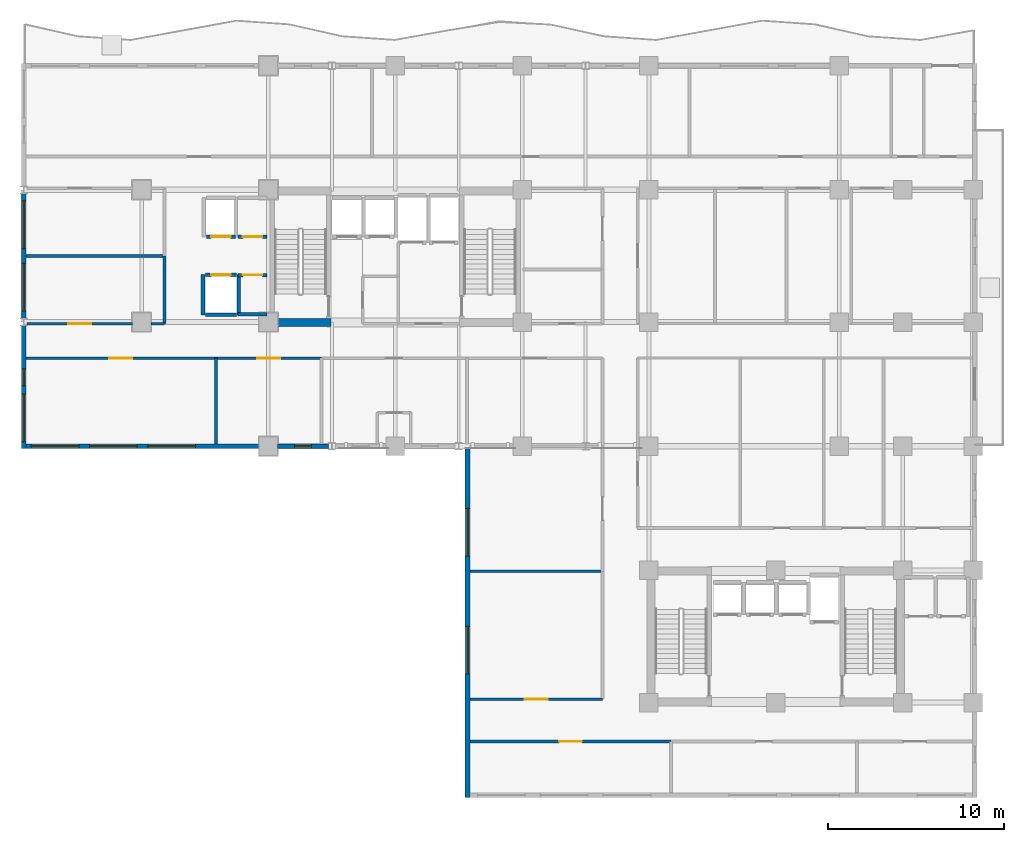
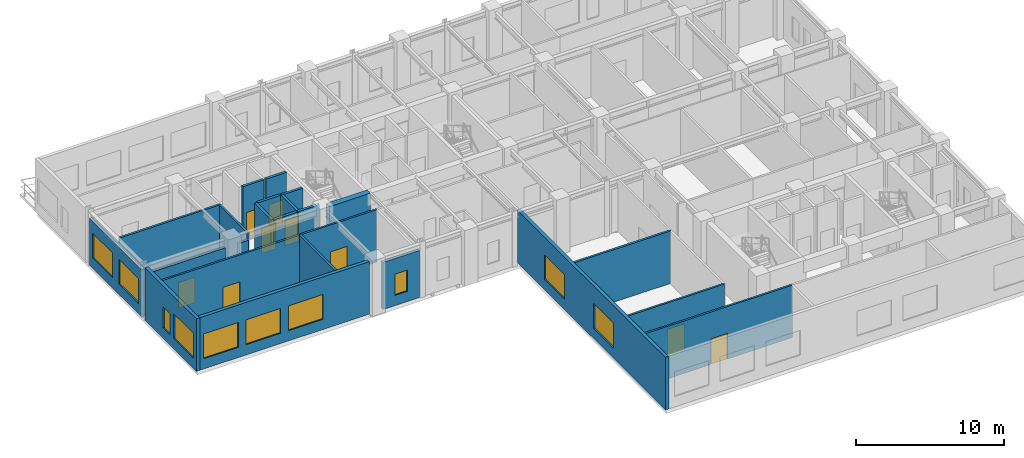
# One storey, part 4 of 14: 24 walls, 10 windows, 9 doors, 19 openings.
"""IFC4 building model written with IfcOpenShell, lengths in metres."""

from ifc_helpers import new_model, si_unit, direction, frame, frame_2d, origin, place, context, subcontext, project, spatial, rectangle, extrude, material, layer, layer_set, type_object, element, fill, save


model = new_model("IFC4")

# Units and contexts
model_context = context("Model", 3, precision=1e-05, world=origin(), true_north=direction((0.0, 1.0)))
body_context = subcontext(model_context, "Body", "Model", "MODEL_VIEW")
ifc_project = project(units=[si_unit("LENGTHUNIT", "METRE"), si_unit("AREAUNIT", "SQUARE_METRE"), si_unit("VOLUMEUNIT", "CUBIC_METRE"), si_unit("PLANEANGLEUNIT", "RADIAN"), si_unit("MASSUNIT", "GRAM", prefix="KILO")], contexts=[model_context])

# Site, building, storey
site_placement = place(None, origin())
site = spatial("IfcSite", under=ifc_project, at=site_placement, CompositionType="ELEMENT")
building_placement = place(site_placement, origin())
building = spatial("IfcBuilding", under=site, at=building_placement, Name="Kaliganga Portal Commons", CompositionType="ELEMENT")
storey_placement = place(building_placement, frame((0.0, 0.0, 135.60009765625)))
storey = spatial("IfcBuildingStorey", under=building, at=storey_placement, Name="L34", CompositionType="ELEMENT", Elevation=135.60009765625)

# Wall
ifc_material_1 = material(Name="Concrete C60/75", Category="concrete")
ifc_layer_1 = layer(ifc_material_1, 0.449951171875)
ifc_layer_set_1 = layer_set([ifc_layer_1], Name="Concrete C60/75")
wall_type_1 = type_object("IfcWallType", Name="WL-CORE-450", PredefinedType="SHEAR", material=ifc_layer_set_1)
wall_1_placement = place(storey_placement, frame((14.75, 28.625, 0.0), z_axis=(0.0, 0.0, 1.0), x_axis=(1.0, 0.0, 0.0)))
element("IfcWall", 1, at=wall_1_placement, inside=storey, type_object=wall_type_1, Name="Core A S-West Shear Wall L34", PredefinedType="SHEAR", context=body_context, shape_type="SweptSolid", body=[
    extrude(rectangle(XDim=3.199951171875, YDim=0.449951171875, at=frame_2d((1.60009765625, 0.0))), origin(), (0.0, 0.0, 1.0), 4.35986328125),
])

# Wall, openings, windows
ifc_material_2 = material(Name="Insulated Aluminium-Clad Spandrel Assembly", Category="aluminium")
ifc_layer_2 = layer(ifc_material_2, 0.260009765625)
ifc_layer_set_2 = layer_set([ifc_layer_2], Name="Insulated Aluminium-Clad Spandrel Assembly")
wall_type_2 = type_object("IfcWallType", Name="WL-EXT-SPAND-260", PredefinedType="STANDARD", material=ifc_layer_set_2)
wall_2_placement = place(storey_placement, frame((0.5, 28.85791015625, 0.0), z_axis=(0.0, 0.0, 1.0), x_axis=(0.0, 1.0, 0.0)))
wall_2 = element("IfcWall", 2, at=wall_2_placement, inside=storey, type_object=wall_type_2, Name="Exterior Envelope Wall L34 P1-E03-S2", PredefinedType="STANDARD", context=body_context, shape_type="SweptSolid", body=[
    extrude(rectangle(XDim=7.083984375, YDim=0.260009765625, at=frame_2d((3.5419921875, 0.0))), origin(), (0.0, 0.0, 1.0), 3.889892578125),
])
opening_1_placement = place(wall_2_placement, frame((0.4208984375, 0.0, 0.85009765625)))
opening_1 = element("IfcOpeningElement", 3, at=opening_1_placement, cuts=wall_2, Name="Opening W-07", PredefinedType="OPENING", context=body_context, shape_type="SweptSolid", body=[
    extrude(rectangle(XDim=2.699951171875, YDim=2.050048828125, at=frame_2d((1.35009765625, 1.02490234375))), frame((0.0, 0.14013671875, 0.0), z_axis=(0.0, -1.0, 0.0), x_axis=(1.0, 0.0, 0.0)), (0.0, 0.0, 1.0), 0.280029296875),
])
opening_2_placement = place(wall_2_placement, frame((3.962890625, 0.0, 0.85009765625)))
opening_2 = element("IfcOpeningElement", 4, at=opening_2_placement, cuts=wall_2, Name="Opening W-07", PredefinedType="OPENING", context=body_context, shape_type="SweptSolid", body=[
    extrude(rectangle(XDim=2.699951171875, YDim=2.050048828125, at=frame_2d((1.35009765625, 1.02490234375))), frame((0.0, 0.14013671875, 0.0), z_axis=(0.0, -1.0, 0.0), x_axis=(1.0, 0.0, 0.0)), (0.0, 0.0, 1.0), 0.280029296875),
])
ifc_material_3 = material(Name="Thermally Broken Aluminium and Low-E Double Glazing", Category="aluminium")
window_type_1 = type_object("IfcWindowType", Name="WIN-LOUNGE-2700", PartitioningType="TRIPLE_PANEL_VERTICAL", PredefinedType="WINDOW", material=ifc_material_3)
window_1_placement = place(opening_1_placement, origin())
window_1 = element("IfcWindow", 5, at=window_1_placement, inside=storey, type_object=window_type_1, Name="Facade Window L34-P1E03S2-00", OverallHeight=2.050048828125, OverallWidth=2.699951171875, PartitioningType="SINGLE_PANEL", PredefinedType="WINDOW", context=body_context, shape_type="SweptSolid", body=[
    extrude(rectangle(XDim=2.699951171875, YDim=2.050048828125, at=frame_2d((1.35009765625, 1.02490234375))), frame((0.0, 0.030029296875, 0.0), z_axis=(0.0, -1.0, 0.0), x_axis=(1.0, 0.0, 0.0)), (0.0, 0.0, 1.0), 0.06005859375),
])
fill(opening_1, window_1)
window_2_placement = place(opening_2_placement, origin())
window_2 = element("IfcWindow", 6, at=window_2_placement, inside=storey, type_object=window_type_1, Name="Facade Window L34-P1E03S2-01", OverallHeight=2.050048828125, OverallWidth=2.699951171875, PartitioningType="SINGLE_PANEL", PredefinedType="WINDOW", context=body_context, shape_type="SweptSolid", body=[
    extrude(rectangle(XDim=2.699951171875, YDim=2.050048828125, at=frame_2d((1.35009765625, 1.02490234375))), frame((0.0, 0.030029296875, 0.0), z_axis=(0.0, -1.0, 0.0), x_axis=(1.0, 0.0, 0.0)), (0.0, 0.0, 1.0), 0.06005859375),
])
fill(opening_2, window_2)

wall_3_placement = place(storey_placement, frame((0.5, 21.469970703125, 0.0), z_axis=(0.0, 0.0, 1.0), x_axis=(0.0, 1.0, 0.0)))
wall_3 = element("IfcWall", 7, at=wall_3_placement, inside=storey, type_object=wall_type_2, Name="Exterior Envelope Wall L34 P1-E03-S3", PredefinedType="STANDARD", context=body_context, shape_type="SweptSolid", body=[
    extrude(rectangle(XDim=6.971923828125, YDim=0.260009765625, at=frame_2d((3.48583984375, 0.0))), origin(), (0.0, 0.0, 1.0), 4.33984375),
])
opening_3_placement = place(wall_3_placement, frame((0.39306640625, 0.0, 0.85009765625)))
opening_3 = element("IfcOpeningElement", 8, at=opening_3_placement, cuts=wall_3, Name="Opening W-07", PredefinedType="OPENING", context=body_context, shape_type="SweptSolid", body=[
    extrude(rectangle(XDim=2.699951171875, YDim=2.050048828125, at=frame_2d((1.35009765625, 1.02490234375))), frame((0.0, 0.14013671875, 0.0), z_axis=(0.0, -1.0, 0.0), x_axis=(1.0, 0.0, 0.0)), (0.0, 0.0, 1.0), 0.280029296875),
])
opening_4_placement = place(wall_3_placement, frame((3.56884765625, 0.0, 0.85009765625)))
opening_4 = element("IfcOpeningElement", 9, at=opening_4_placement, cuts=wall_3, Name="Opening W-04", PredefinedType="OPENING", context=body_context, shape_type="SweptSolid", body=[
    extrude(rectangle(XDim=0.949951171875, YDim=1.75, at=frame_2d((0.47509765625, 0.875))), frame((0.0, 0.14013671875, 0.0), z_axis=(0.0, -1.0, 0.0), x_axis=(1.0, 0.0, 0.0)), (0.0, 0.0, 1.0), 0.280029296875),
])
window_3_placement = place(opening_3_placement, origin())
window_3 = element("IfcWindow", 10, at=window_3_placement, inside=storey, type_object=window_type_1, Name="Facade Window L34-P1E03S3-00", OverallHeight=2.050048828125, OverallWidth=2.699951171875, PartitioningType="SINGLE_PANEL", PredefinedType="WINDOW", context=body_context, shape_type="SweptSolid", body=[
    extrude(rectangle(XDim=2.699951171875, YDim=2.050048828125, at=frame_2d((1.35009765625, 1.02490234375))), frame((0.0, 0.030029296875, 0.0), z_axis=(0.0, -1.0, 0.0), x_axis=(1.0, 0.0, 0.0)), (0.0, 0.0, 1.0), 0.06005859375),
])
fill(opening_3, window_3)
window_type_2 = type_object("IfcWindowType", Name="WIN-NARROW-950", PartitioningType="SINGLE_PANEL", PredefinedType="WINDOW", material=ifc_material_3)
window_4_placement = place(opening_4_placement, origin())
window_4 = element("IfcWindow", 11, at=window_4_placement, inside=storey, type_object=window_type_2, Name="Facade Window L34-P1E03S3-N6", OverallHeight=1.75, OverallWidth=0.949951171875, PartitioningType="SINGLE_PANEL", PredefinedType="WINDOW", context=body_context, shape_type="SweptSolid", body=[
    extrude(rectangle(XDim=0.949951171875, YDim=1.75, at=frame_2d((0.47509765625, 0.875))), frame((0.0, 0.030029296875, 0.0), z_axis=(0.0, -1.0, 0.0), x_axis=(1.0, 0.0, 0.0)), (0.0, 0.0, 1.0), 0.06005859375),
])
fill(opening_4, window_4)

wall_4_placement = place(storey_placement, frame((13.8740234375, 21.60009765625, 0.0), z_axis=(0.0, 0.0, 1.0), x_axis=(-1.0, 0.0, 0.0)))
wall_4 = element("IfcWall", 12, at=wall_4_placement, inside=storey, type_object=wall_type_2, Name="Exterior Envelope Wall L34 P1-E04-S1", PredefinedType="STANDARD", context=body_context, shape_type="SweptSolid", body=[
    extrude(rectangle(XDim=13.239013671875, YDim=0.260009765625, at=frame_2d((6.61962890625, 0.0))), origin(), (0.0, 0.0, 1.0), 4.33984375),
])
opening_5_placement = place(wall_4_placement, frame((3.614501953125, 0.0, 0.85009765625)))
opening_5 = element("IfcOpeningElement", 13, at=opening_5_placement, cuts=wall_4, Name="Opening W-07", PredefinedType="OPENING", context=body_context, shape_type="SweptSolid", body=[
    extrude(rectangle(XDim=2.699951171875, YDim=2.050048828125, at=frame_2d((1.35009765625, 1.02490234375))), frame((0.0, 0.14013671875, 0.0), z_axis=(0.0, -1.0, 0.0), x_axis=(1.0, 0.0, 0.0)), (0.0, 0.0, 1.0), 0.280029296875),
])
opening_6_placement = place(wall_4_placement, frame((6.92431640625, 0.0, 0.85009765625)))
opening_6 = element("IfcOpeningElement", 14, at=opening_6_placement, cuts=wall_4, Name="Opening W-07", PredefinedType="OPENING", context=body_context, shape_type="SweptSolid", body=[
    extrude(rectangle(XDim=2.699951171875, YDim=2.050048828125, at=frame_2d((1.35009765625, 1.02490234375))), frame((0.0, 0.14013671875, 0.0), z_axis=(0.0, -1.0, 0.0), x_axis=(1.0, 0.0, 0.0)), (0.0, 0.0, 1.0), 0.280029296875),
])
opening_7_placement = place(wall_4_placement, frame((10.234130859375, 0.0, 0.85009765625)))
opening_7 = element("IfcOpeningElement", 15, at=opening_7_placement, cuts=wall_4, Name="Opening W-07", PredefinedType="OPENING", context=body_context, shape_type="SweptSolid", body=[
    extrude(rectangle(XDim=2.699951171875, YDim=2.050048828125, at=frame_2d((1.35009765625, 1.02490234375))), frame((0.0, 0.14013671875, 0.0), z_axis=(0.0, -1.0, 0.0), x_axis=(1.0, 0.0, 0.0)), (0.0, 0.0, 1.0), 0.280029296875),
])
window_5_placement = place(opening_5_placement, origin())
window_5 = element("IfcWindow", 16, at=window_5_placement, inside=storey, type_object=window_type_1, Name="Facade Window L34-P1E04S1-01", OverallHeight=2.050048828125, OverallWidth=2.699951171875, PartitioningType="SINGLE_PANEL", PredefinedType="WINDOW", context=body_context, shape_type="SweptSolid", body=[
    extrude(rectangle(XDim=2.699951171875, YDim=2.050048828125, at=frame_2d((1.35009765625, 1.02490234375))), frame((0.0, 0.030029296875, 0.0), z_axis=(0.0, -1.0, 0.0), x_axis=(1.0, 0.0, 0.0)), (0.0, 0.0, 1.0), 0.06005859375),
])
fill(opening_5, window_5)
window_6_placement = place(opening_6_placement, origin())
window_6 = element("IfcWindow", 17, at=window_6_placement, inside=storey, type_object=window_type_1, Name="Facade Window L34-P1E04S1-02", OverallHeight=2.050048828125, OverallWidth=2.699951171875, PartitioningType="SINGLE_PANEL", PredefinedType="WINDOW", context=body_context, shape_type="SweptSolid", body=[
    extrude(rectangle(XDim=2.699951171875, YDim=2.050048828125, at=frame_2d((1.35009765625, 1.02490234375))), frame((0.0, 0.030029296875, 0.0), z_axis=(0.0, -1.0, 0.0), x_axis=(1.0, 0.0, 0.0)), (0.0, 0.0, 1.0), 0.06005859375),
])
fill(opening_6, window_6)
window_7_placement = place(opening_7_placement, origin())
window_7 = element("IfcWindow", 18, at=window_7_placement, inside=storey, type_object=window_type_1, Name="Facade Window L34-P1E04S1-03", OverallHeight=2.050048828125, OverallWidth=2.699951171875, PartitioningType="SINGLE_PANEL", PredefinedType="WINDOW", context=body_context, shape_type="SweptSolid", body=[
    extrude(rectangle(XDim=2.699951171875, YDim=2.050048828125, at=frame_2d((1.35009765625, 1.02490234375))), frame((0.0, 0.030029296875, 0.0), z_axis=(0.0, -1.0, 0.0), x_axis=(1.0, 0.0, 0.0)), (0.0, 0.0, 1.0), 0.06005859375),
])
fill(opening_7, window_7)

# Wall, opening, window
wall_5_placement = place(storey_placement, frame((17.797119140625, 21.60009765625, 0.0), z_axis=(0.0, 0.0, 1.0), x_axis=(-1.0, 0.0, 0.0)))
wall_5 = element("IfcWall", 19, at=wall_5_placement, inside=storey, type_object=wall_type_2, Name="Exterior Envelope Wall L34 P1-E04-S2", PredefinedType="STANDARD", context=body_context, shape_type="SweptSolid", body=[
    extrude(rectangle(XDim=2.87109375, YDim=0.260009765625, at=frame_2d((1.435546875, 0.0))), origin(), (0.0, 0.0, 1.0), 3.889892578125),
])
opening_8_placement = place(wall_5_placement, frame((0.96044921875, 0.0, 0.85009765625)))
opening_8 = element("IfcOpeningElement", 20, at=opening_8_placement, cuts=wall_5, Name="Opening W-04", PredefinedType="OPENING", context=body_context, shape_type="SweptSolid", body=[
    extrude(rectangle(XDim=0.949951171875, YDim=1.75, at=frame_2d((0.47509765625, 0.875))), frame((0.0, 0.14013671875, 0.0), z_axis=(0.0, -1.0, 0.0), x_axis=(1.0, 0.0, 0.0)), (0.0, 0.0, 1.0), 0.280029296875),
])
window_8_placement = place(opening_8_placement, origin())
window_8 = element("IfcWindow", 21, at=window_8_placement, inside=storey, type_object=window_type_2, Name="Facade Window L34-P1E04S2-00", OverallHeight=1.75, OverallWidth=0.949951171875, PartitioningType="SINGLE_PANEL", PredefinedType="WINDOW", context=body_context, shape_type="SweptSolid", body=[
    extrude(rectangle(XDim=0.949951171875, YDim=1.75, at=frame_2d((0.47509765625, 0.875))), frame((0.0, 0.030029296875, 0.0), z_axis=(0.0, -1.0, 0.0), x_axis=(1.0, 0.0, 0.0)), (0.0, 0.0, 1.0), 0.06005859375),
])
fill(opening_8, window_8)

# Wall, openings, windows
wall_6_placement = place(storey_placement, frame((25.699951171875, 1.669921875, 0.0), z_axis=(0.0, 0.0, 1.0), x_axis=(0.0, 1.0, 0.0)))
wall_6 = element("IfcWall", 22, at=wall_6_placement, inside=storey, type_object=wall_type_2, Name="Exterior Envelope Wall L34 P1-E05-S1", PredefinedType="STANDARD", context=body_context, shape_type="SweptSolid", body=[
    extrude(rectangle(XDim=20.06005859375, YDim=0.260009765625, at=frame_2d((10.030029296875, 0.0))), origin(), (0.0, 0.0, 1.0), 4.33984375),
])
opening_9_placement = place(wall_6_placement, frame((7.00830078125, 0.0, 0.85009765625)))
opening_9 = element("IfcOpeningElement", 23, at=opening_9_placement, cuts=wall_6, Name="Opening W-07", PredefinedType="OPENING", context=body_context, shape_type="SweptSolid", body=[
    extrude(rectangle(XDim=2.699951171875, YDim=2.050048828125, at=frame_2d((1.35009765625, 1.02490234375))), frame((0.0, 0.14013671875, 0.0), z_axis=(0.0, -1.0, 0.0), x_axis=(1.0, 0.0, 0.0)), (0.0, 0.0, 1.0), 0.280029296875),
])
opening_10_placement = place(wall_6_placement, frame((13.695068359375, 0.0, 0.85009765625)))
opening_10 = element("IfcOpeningElement", 24, at=opening_10_placement, cuts=wall_6, Name="Opening W-07", PredefinedType="OPENING", context=body_context, shape_type="SweptSolid", body=[
    extrude(rectangle(XDim=2.699951171875, YDim=2.050048828125, at=frame_2d((1.35009765625, 1.02490234375))), frame((0.0, 0.14013671875, 0.0), z_axis=(0.0, -1.0, 0.0), x_axis=(1.0, 0.0, 0.0)), (0.0, 0.0, 1.0), 0.280029296875),
])
window_9_placement = place(opening_9_placement, origin())
window_9 = element("IfcWindow", 25, at=window_9_placement, inside=storey, type_object=window_type_1, Name="Facade Window L34-P1E05S1-02", OverallHeight=2.050048828125, OverallWidth=2.699951171875, PartitioningType="SINGLE_PANEL", PredefinedType="WINDOW", context=body_context, shape_type="SweptSolid", body=[
    extrude(rectangle(XDim=2.699951171875, YDim=2.050048828125, at=frame_2d((1.35009765625, 1.02490234375))), frame((0.0, 0.030029296875, 0.0), z_axis=(0.0, -1.0, 0.0), x_axis=(1.0, 0.0, 0.0)), (0.0, 0.0, 1.0), 0.06005859375),
])
fill(opening_9, window_9)
window_10_placement = place(opening_10_placement, origin())
window_10 = element("IfcWindow", 26, at=window_10_placement, inside=storey, type_object=window_type_1, Name="Facade Window L34-P1E05S1-04", OverallHeight=2.050048828125, OverallWidth=2.699951171875, PartitioningType="SINGLE_PANEL", PredefinedType="WINDOW", context=body_context, shape_type="SweptSolid", body=[
    extrude(rectangle(XDim=2.699951171875, YDim=2.050048828125, at=frame_2d((1.35009765625, 1.02490234375))), frame((0.0, 0.030029296875, 0.0), z_axis=(0.0, -1.0, 0.0), x_axis=(1.0, 0.0, 0.0)), (0.0, 0.0, 1.0), 0.06005859375),
])
fill(opening_10, window_10)

# Wall, opening, door
ifc_material_4 = material(Name="Fire-Rated Gypsum Board on Steel Stud", Category="steel")
ifc_layer_3 = layer(ifc_material_4, 0.14990234375)
ifc_layer_set_3 = layer_set([ifc_layer_3], Name="Fire-Rated Gypsum Board on Steel Stud")
wall_type_3 = type_object("IfcWallType", Name="WL-PART-CORR-150", PredefinedType="PARTITIONING", material=ifc_layer_set_3)
wall_7_placement = place(storey_placement, frame((25.83203125, 4.840087890625, 0.0), z_axis=(0.0, 0.0, 1.0), x_axis=(1.0, 0.0, 0.0)))
wall_7 = element("IfcWall", 27, at=wall_7_placement, inside=storey, type_object=wall_type_3, Name="Interior Partition L34-006", PredefinedType="PARTITIONING", context=body_context, shape_type="SweptSolid", body=[
    extrude(rectangle(XDim=11.427978515625, YDim=0.14990234375, at=frame_2d((5.7138671875, 0.0))), origin(), (0.0, 0.0, 1.0), 4.33984375),
])
opening_11_placement = place(wall_7_placement, frame((5.06396484375, 0.0, 0.0)))
opening_11 = element("IfcOpeningElement", 28, at=opening_11_placement, cuts=wall_7, Name="Opening RD-03", PredefinedType="OPENING", context=body_context, shape_type="SweptSolid", body=[
    extrude(rectangle(XDim=1.300048828125, YDim=2.1201171875, at=frame_2d((0.64990234375, 1.06005859375))), frame((0.0, 0.0849609375, 0.0), z_axis=(0.0, -1.0, 0.0), x_axis=(1.0, 0.0, 0.0)), (0.0, 0.0, 1.0), 0.169921875),
])
ifc_material_5 = material(Name="Glazed Timber Seminar Vision Door", Category="wood")
door_type_1 = type_object("IfcDoorType", Name="DR-STUDY-1300", OperationType="DOUBLE_DOOR_SINGLE_SWING", PredefinedType="DOOR", material=ifc_material_5)
door_1_placement = place(opening_11_placement, origin())
door_1 = element("IfcDoor", 29, at=door_1_placement, inside=storey, type_object=door_type_1, Name="Interior Door L34-BS01", OperationType="DOUBLE_DOOR_SINGLE_SWING", OverallHeight=2.1201171875, OverallWidth=1.300048828125, PredefinedType="DOOR", context=body_context, shape_type="SweptSolid", body=[
    extrude(rectangle(XDim=1.300048828125, YDim=2.1201171875, at=frame_2d((0.64990234375, 1.06005859375))), frame((0.0, 0.02490234375, 0.0), z_axis=(0.0, -1.0, 0.0), x_axis=(1.0, 0.0, 0.0)), (0.0, 0.0, 1.0), 0.050048828125),
])
fill(opening_11, door_1)

wall_8_placement = place(storey_placement, frame((0.632080078125, 26.60009765625, 0.0), z_axis=(0.0, 0.0, 1.0), x_axis=(1.0, 0.0, 0.0)))
wall_8 = element("IfcWall", 30, at=wall_8_placement, inside=storey, type_object=wall_type_3, Name="Interior Partition L34-008", PredefinedType="PARTITIONING", context=body_context, shape_type="SweptSolid", body=[
    extrude(rectangle(XDim=10.787841796875, YDim=0.14990234375, at=frame_2d((5.39404296875, 0.0))), origin(), (0.0, 0.0, 1.0), 4.33984375),
])
opening_12_placement = place(wall_8_placement, frame((4.743896484375, 0.0, 0.0)))
opening_12 = element("IfcOpeningElement", 31, at=opening_12_placement, cuts=wall_8, Name="Opening RD-03", PredefinedType="OPENING", context=body_context, shape_type="SweptSolid", body=[
    extrude(rectangle(XDim=1.300048828125, YDim=2.1201171875, at=frame_2d((0.64990234375, 1.06005859375))), frame((0.0, 0.0849609375, 0.0), z_axis=(0.0, -1.0, 0.0), x_axis=(1.0, 0.0, 0.0)), (0.0, 0.0, 1.0), 0.169921875),
])
door_2_placement = place(opening_12_placement, origin())
door_2 = element("IfcDoor", 32, at=door_2_placement, inside=storey, type_object=door_type_1, Name="Interior Door L34-AS01", OperationType="DOUBLE_DOOR_SINGLE_SWING", OverallHeight=2.1201171875, OverallWidth=1.300048828125, PredefinedType="DOOR", context=body_context, shape_type="SweptSolid", body=[
    extrude(rectangle(XDim=1.300048828125, YDim=2.1201171875, at=frame_2d((0.64990234375, 1.06005859375))), frame((0.0, 0.02490234375, 0.0), z_axis=(0.0, -1.0, 0.0), x_axis=(1.0, 0.0, 0.0)), (0.0, 0.0, 1.0), 0.050048828125),
])
fill(opening_12, door_2)

wall_9_placement = place(storey_placement, frame((0.701904296875, 28.56005859375, 0.0), z_axis=(0.0, 0.0, 1.0), x_axis=(1.0, 0.0, 0.0)))
wall_9 = element("IfcWall", 33, at=wall_9_placement, inside=storey, type_object=wall_type_3, Name="Interior Partition L34-012", PredefinedType="PARTITIONING", context=body_context, shape_type="SweptSolid", body=[
    extrude(rectangle(XDim=5.97314453125, YDim=0.14990234375, at=frame_2d((2.986572265625, 0.0))), origin(), (0.0, 0.0, 1.0), 3.739990234375),
])
opening_13_placement = place(wall_9_placement, frame((2.33642578125, 0.0, 0.0)))
opening_13 = element("IfcOpeningElement", 34, at=opening_13_placement, cuts=wall_9, Name="Opening RD-03", PredefinedType="OPENING", context=body_context, shape_type="SweptSolid", body=[
    extrude(rectangle(XDim=1.300048828125, YDim=2.1201171875, at=frame_2d((0.64990234375, 1.06005859375))), frame((0.0, 0.0849609375, 0.0), z_axis=(0.0, -1.0, 0.0), x_axis=(1.0, 0.0, 0.0)), (0.0, 0.0, 1.0), 0.169921875),
])
door_3_placement = place(opening_13_placement, origin())
door_3 = element("IfcDoor", 35, at=door_3_placement, inside=storey, type_object=door_type_1, Name="Interior Door L34-AW01", OperationType="DOUBLE_DOOR_SINGLE_SWING", OverallHeight=2.1201171875, OverallWidth=1.300048828125, PredefinedType="DOOR", context=body_context, shape_type="SweptSolid", body=[
    extrude(rectangle(XDim=1.300048828125, YDim=2.1201171875, at=frame_2d((0.64990234375, 1.06005859375))), frame((0.0, 0.02490234375, 0.0), z_axis=(0.0, -1.0, 0.0), x_axis=(1.0, 0.0, 0.0)), (0.0, 0.0, 1.0), 0.050048828125),
])
fill(opening_13, door_3)

# Wall
wall_10_placement = place(storey_placement, frame((7.72509765625, 28.56005859375, 0.0), z_axis=(0.0, 0.0, 1.0), x_axis=(1.0, 0.0, 0.0)))
element("IfcWall", 36, at=wall_10_placement, inside=storey, type_object=wall_type_3, Name="Interior Partition L34-013", PredefinedType="PARTITIONING", context=body_context, shape_type="SweptSolid", body=[
    extrude(rectangle(XDim=0.77490234375, YDim=0.14990234375, at=frame_2d((0.387451171875, 0.0))), origin(), (0.0, 0.0, 1.0), 3.739990234375),
])

# Wall, opening, door
wall_11_placement = place(storey_placement, frame((25.83203125, 7.239990234375, 0.0), z_axis=(0.0, 0.0, 1.0), x_axis=(1.0, 0.0, 0.0)))
wall_11 = element("IfcWall", 37, at=wall_11_placement, inside=storey, type_object=wall_type_3, Name="Interior Partition L34-018", PredefinedType="PARTITIONING", context=body_context, shape_type="SweptSolid", body=[
    extrude(rectangle(XDim=7.528076171875, YDim=0.14990234375, at=frame_2d((3.76416015625, 0.0))), origin(), (0.0, 0.0, 1.0), 4.33984375),
])
opening_14_placement = place(wall_11_placement, frame((3.114013671875, 0.0, 0.0)))
opening_14 = element("IfcOpeningElement", 38, at=opening_14_placement, cuts=wall_11, Name="Opening RD-03", PredefinedType="OPENING", context=body_context, shape_type="SweptSolid", body=[
    extrude(rectangle(XDim=1.300048828125, YDim=2.1201171875, at=frame_2d((0.64990234375, 1.06005859375))), frame((0.0, 0.0849609375, 0.0), z_axis=(0.0, -1.0, 0.0), x_axis=(1.0, 0.0, 0.0)), (0.0, 0.0, 1.0), 0.169921875),
])
door_4_placement = place(opening_14_placement, origin())
door_4 = element("IfcDoor", 39, at=door_4_placement, inside=storey, type_object=door_type_1, Name="Interior Door L34-KW01", OperationType="DOUBLE_DOOR_SINGLE_SWING", OverallHeight=2.1201171875, OverallWidth=1.300048828125, PredefinedType="DOOR", context=body_context, shape_type="SweptSolid", body=[
    extrude(rectangle(XDim=1.300048828125, YDim=2.1201171875, at=frame_2d((0.64990234375, 1.06005859375))), frame((0.0, 0.02490234375, 0.0), z_axis=(0.0, -1.0, 0.0), x_axis=(1.0, 0.0, 0.0)), (0.0, 0.0, 1.0), 0.050048828125),
])
fill(opening_14, door_4)

wall_12_placement = place(storey_placement, frame((11.419921875, 26.60009765625, 0.0), z_axis=(0.0, 0.0, 1.0), x_axis=(1.0, 0.0, 0.0)))
wall_12 = element("IfcWall", 40, at=wall_12_placement, inside=storey, type_object=wall_type_3, Name="Interior Partition L34-024", PredefinedType="PARTITIONING", context=body_context, shape_type="SweptSolid", body=[
    extrude(rectangle(XDim=5.97998046875, YDim=0.14990234375, at=frame_2d((2.989990234375, 0.0))), origin(), (0.0, 0.0, 1.0), 4.33984375),
])
opening_15_placement = place(wall_12_placement, frame((2.340087890625, 0.0, 0.0)))
opening_15 = element("IfcOpeningElement", 41, at=opening_15_placement, cuts=wall_12, Name="Opening RD-03", PredefinedType="OPENING", context=body_context, shape_type="SweptSolid", body=[
    extrude(rectangle(XDim=1.300048828125, YDim=2.1201171875, at=frame_2d((0.64990234375, 1.06005859375))), frame((0.0, 0.0849609375, 0.0), z_axis=(0.0, -1.0, 0.0), x_axis=(1.0, 0.0, 0.0)), (0.0, 0.0, 1.0), 0.169921875),
])
door_5_placement = place(opening_15_placement, origin())
door_5 = element("IfcDoor", 42, at=door_5_placement, inside=storey, type_object=door_type_1, Name="Interior Door L34-AS02", OperationType="DOUBLE_DOOR_SINGLE_SWING", OverallHeight=2.1201171875, OverallWidth=1.300048828125, PredefinedType="DOOR", context=body_context, shape_type="SweptSolid", body=[
    extrude(rectangle(XDim=1.300048828125, YDim=2.1201171875, at=frame_2d((0.64990234375, 1.06005859375))), frame((0.0, 0.02490234375, 0.0), z_axis=(0.0, -1.0, 0.0), x_axis=(1.0, 0.0, 0.0)), (0.0, 0.0, 1.0), 0.050048828125),
])
fill(opening_15, door_5)

# Walls
wall_13_placement = place(storey_placement, frame((8.5, 28.56005859375, 0.0), z_axis=(0.0, 0.0, 1.0), x_axis=(0.0, 1.0, 0.0)))
element("IfcWall", 43, at=wall_13_placement, inside=storey, type_object=wall_type_3, Name="Interior Partition L34-035", PredefinedType="PARTITIONING", context=body_context, shape_type="SweptSolid", body=[
    extrude(rectangle(XDim=3.83984375, YDim=0.14990234375, at=frame_2d((1.919921875, 0.0))), origin(), (0.0, 0.0, 1.0), 4.33984375),
])
ifc_material_6 = material(Name="Twin-Stud Acoustic Gypsum Partition", Category="gypsum")
ifc_layer_4 = layer(ifc_material_6, 0.1650390625)
ifc_layer_set_4 = layer_set([ifc_layer_4], Name="Twin-Stud Acoustic Gypsum Partition")
wall_type_4 = type_object("IfcWallType", Name="WL-PART-UNIT-165", PredefinedType="PARTITIONING", material=ifc_layer_set_4)
wall_14_placement = place(storey_placement, frame((0.632080078125, 32.39990234375, 0.0), z_axis=(0.0, 0.0, 1.0), x_axis=(1.0, 0.0, 0.0)))
element("IfcWall", 44, at=wall_14_placement, inside=storey, type_object=wall_type_4, Name="Interior Partition L34-048", PredefinedType="PARTITIONING", context=body_context, shape_type="SweptSolid", body=[
    extrude(rectangle(XDim=7.867919921875, YDim=0.1650390625, at=frame_2d((3.93408203125, 0.0))), origin(), (0.0, 0.0, 1.0), 4.33984375),
])
wall_15_placement = place(storey_placement, frame((25.83203125, 14.5, 0.0), z_axis=(0.0, 0.0, 1.0), x_axis=(1.0, 0.0, 0.0)))
element("IfcWall", 45, at=wall_15_placement, inside=storey, type_object=wall_type_4, Name="Interior Partition L34-052", PredefinedType="PARTITIONING", context=body_context, shape_type="SweptSolid", body=[
    extrude(rectangle(XDim=7.528076171875, YDim=0.1650390625, at=frame_2d((3.76416015625, 0.0))), origin(), (0.0, 0.0, 1.0), 4.33984375),
])
wall_16_placement = place(storey_placement, frame((11.419921875, 21.73193359375, 0.0), z_axis=(0.0, 0.0, 1.0), x_axis=(0.0, 1.0, 0.0)))
element("IfcWall", 46, at=wall_16_placement, inside=storey, type_object=wall_type_4, Name="Interior Partition L34-062", PredefinedType="PARTITIONING", context=body_context, shape_type="SweptSolid", body=[
    extrude(rectangle(XDim=4.8681640625, YDim=0.1650390625, at=frame_2d((2.43408203125, 0.0))), origin(), (0.0, 0.0, 1.0), 4.33984375),
])
ifc_material_7 = material(Name="Fire-Rated Shaftwall Masonry Assembly", Category="masonry")
ifc_layer_5 = layer(ifc_material_7, 0.199951171875)
ifc_layer_set_5 = layer_set([ifc_layer_5], Name="Fire-Rated Shaftwall Masonry Assembly")
wall_type_5 = type_object("IfcWallType", Name="WL-SHAFT-200", PredefinedType="PARTITIONING", material=ifc_layer_set_5)
wall_17_placement = place(storey_placement, frame((10.824951171875, 29.06005859375, 0.0), z_axis=(0.0, 0.0, 1.0), x_axis=(1.0, 0.0, 0.0)))
element("IfcWall", 47, at=wall_17_placement, inside=storey, type_object=wall_type_5, Name="Lift SH-1 Hoistway Shaft Wall L34-S", PredefinedType="PARTITIONING", context=body_context, shape_type="SweptSolid", body=[
    extrude(rectangle(XDim=1.75, YDim=0.199951171875, at=frame_2d((0.875, 0.0))), origin(), (0.0, 0.0, 1.0), 4.33984375),
])

# Wall, opening, door
wall_18_placement = place(storey_placement, frame((10.824951171875, 31.340087890625, 0.0), z_axis=(0.0, 0.0, 1.0), x_axis=(1.0, 0.0, 0.0)))
wall_18 = element("IfcWall", 48, at=wall_18_placement, inside=storey, type_object=wall_type_5, Name="Lift SH-1 Hoistway Shaft Wall L34-N", PredefinedType="PARTITIONING", context=body_context, shape_type="SweptSolid", body=[
    extrude(rectangle(XDim=1.75, YDim=0.199951171875, at=frame_2d((0.875, 0.0))), origin(), (0.0, 0.0, 1.0), 4.33984375),
])
opening_16_placement = place(wall_18_placement, frame((0.324951171875, 0.0, 0.0)))
opening_16 = element("IfcOpeningElement", 49, at=opening_16_placement, cuts=wall_18, Name="Opening LD-01", PredefinedType="OPENING", context=body_context, shape_type="SweptSolid", body=[
    extrude(rectangle(XDim=1.10009765625, YDim=2.1201171875, at=frame_2d((0.550048828125, 1.06005859375))), frame((0.0, 0.10986328125, 0.0), z_axis=(0.0, -1.0, 0.0), x_axis=(1.0, 0.0, 0.0)), (0.0, 0.0, 1.0), 0.219970703125),
])
ifc_material_8 = material(Name="Brushed Stainless Steel 316 Lift Landing Door", Category="steel")
door_type_2 = type_object("IfcDoorType", Name="DR-LIFT-1100", OperationType="SLIDING_TO_LEFT", PredefinedType="DOOR", material=ifc_material_8)
door_6_placement = place(opening_16_placement, origin())
door_6 = element("IfcDoor", 50, at=door_6_placement, inside=storey, type_object=door_type_2, Name="Lift SH-1 Sliding Landing Door L34", OperationType="SLIDING_TO_LEFT", OverallHeight=2.1201171875, OverallWidth=1.10009765625, PredefinedType="DOOR", context=body_context, shape_type="SweptSolid", body=[
    extrude(rectangle(XDim=1.10009765625, YDim=2.1201171875, at=frame_2d((0.550048828125, 1.06005859375))), frame((0.0, 0.02490234375, 0.0), z_axis=(0.0, -1.0, 0.0), x_axis=(1.0, 0.0, 0.0)), (0.0, 0.0, 1.0), 0.050048828125),
])
fill(opening_16, door_6)

# Walls
for number, where, z_axis, x_axis, name in (
    (51, (10.68505859375, 29.06005859375, 0.0), (0.0, 0.0, 1.0), (0.0, 1.0, 0.0), "Lift SH-1 Hoistway Shaft Wall L34-W"),
    (52, (12.715087890625, 29.06005859375, 0.0), (0.0, 0.0, 1.0), (0.0, 1.0, 0.0), "Lift SH-1 Hoistway Shaft Wall L34-E"),
):
    element("IfcWall", number, at=place(storey_placement, frame(where, z_axis=z_axis, x_axis=x_axis)), inside=storey, type_object=wall_type_5, Name=name, PredefinedType="PARTITIONING", context=body_context, shape_type="SweptSolid", body=[
        extrude(rectangle(XDim=2.280029296875, YDim=0.199951171875, at=frame_2d((1.14013671875, 0.0))), origin(), (0.0, 0.0, 1.0), 4.33984375),
    ])

# Wall, opening, door
wall_19_placement = place(storey_placement, frame((12.675048828125, 33.485107421875, 0.0), z_axis=(0.0, 0.0, 1.0), x_axis=(1.0, 0.0, 0.0)))
wall_19 = element("IfcWall", 53, at=wall_19_placement, inside=storey, type_object=wall_type_5, Name="Lift PL-A3 Hoistway Shaft Wall L34-S", PredefinedType="PARTITIONING", context=body_context, shape_type="SweptSolid", body=[
    extrude(rectangle(XDim=1.64990234375, YDim=0.199951171875, at=frame_2d((0.824951171875, 0.0))), origin(), (0.0, 0.0, 1.0), 4.33984375),
])
opening_17_placement = place(wall_19_placement, frame((0.27490234375, 0.0, 0.0)))
opening_17 = element("IfcOpeningElement", 54, at=opening_17_placement, cuts=wall_19, Name="Opening LD-01", PredefinedType="OPENING", context=body_context, shape_type="SweptSolid", body=[
    extrude(rectangle(XDim=1.10009765625, YDim=2.1201171875, at=frame_2d((0.550048828125, 1.06005859375))), frame((0.0, 0.10986328125, 0.0), z_axis=(0.0, -1.0, 0.0), x_axis=(1.0, 0.0, 0.0)), (0.0, 0.0, 1.0), 0.219970703125),
])
door_7_placement = place(opening_17_placement, origin())
door_7 = element("IfcDoor", 55, at=door_7_placement, inside=storey, type_object=door_type_2, Name="Lift PL-A3 Sliding Landing Door L34", OperationType="SLIDING_TO_LEFT", OverallHeight=2.1201171875, OverallWidth=1.10009765625, PredefinedType="DOOR", context=body_context, shape_type="SweptSolid", body=[
    extrude(rectangle(XDim=1.10009765625, YDim=2.1201171875, at=frame_2d((0.550048828125, 1.06005859375))), frame((0.0, 0.02490234375, 0.0), z_axis=(0.0, -1.0, 0.0), x_axis=(1.0, 0.0, 0.0)), (0.0, 0.0, 1.0), 0.050048828125),
])
fill(opening_17, door_7)

# Wall
wall_20_placement = place(storey_placement, frame((12.675048828125, 29.0849609375, 0.0), z_axis=(0.0, 0.0, 1.0), x_axis=(1.0, 0.0, 0.0)))
element("IfcWall", 56, at=wall_20_placement, inside=storey, type_object=wall_type_5, Name="Lift PL-A4 Hoistway Shaft Wall L34-S", PredefinedType="PARTITIONING", context=body_context, shape_type="SweptSolid", body=[
    extrude(rectangle(XDim=1.64990234375, YDim=0.199951171875, at=frame_2d((0.824951171875, 0.0))), origin(), (0.0, 0.0, 1.0), 4.33984375),
])

# Wall, opening, door
wall_21_placement = place(storey_placement, frame((12.675048828125, 31.31494140625, 0.0), z_axis=(0.0, 0.0, 1.0), x_axis=(1.0, 0.0, 0.0)))
wall_21 = element("IfcWall", 57, at=wall_21_placement, inside=storey, type_object=wall_type_5, Name="Lift PL-A4 Hoistway Shaft Wall L34-N", PredefinedType="PARTITIONING", context=body_context, shape_type="SweptSolid", body=[
    extrude(rectangle(XDim=1.64990234375, YDim=0.199951171875, at=frame_2d((0.824951171875, 0.0))), origin(), (0.0, 0.0, 1.0), 4.33984375),
])
opening_18_placement = place(wall_21_placement, frame((0.27490234375, 0.0, 0.0)))
opening_18 = element("IfcOpeningElement", 58, at=opening_18_placement, cuts=wall_21, Name="Opening LD-01", PredefinedType="OPENING", context=body_context, shape_type="SweptSolid", body=[
    extrude(rectangle(XDim=1.10009765625, YDim=2.1201171875, at=frame_2d((0.550048828125, 1.06005859375))), frame((0.0, 0.10986328125, 0.0), z_axis=(0.0, -1.0, 0.0), x_axis=(1.0, 0.0, 0.0)), (0.0, 0.0, 1.0), 0.219970703125),
])
door_8_placement = place(opening_18_placement, origin())
door_8 = element("IfcDoor", 59, at=door_8_placement, inside=storey, type_object=door_type_2, Name="Lift PL-A4 Sliding Landing Door L34", OperationType="SLIDING_TO_LEFT", OverallHeight=2.1201171875, OverallWidth=1.10009765625, PredefinedType="DOOR", context=body_context, shape_type="SweptSolid", body=[
    extrude(rectangle(XDim=1.10009765625, YDim=2.1201171875, at=frame_2d((0.550048828125, 1.06005859375))), frame((0.0, 0.02490234375, 0.0), z_axis=(0.0, -1.0, 0.0), x_axis=(1.0, 0.0, 0.0)), (0.0, 0.0, 1.0), 0.050048828125),
])
fill(opening_18, door_8)

wall_22_placement = place(storey_placement, frame((10.875, 33.485107421875, 0.0), z_axis=(0.0, 0.0, 1.0), x_axis=(1.0, 0.0, 0.0)))
wall_22 = element("IfcWall", 60, at=wall_22_placement, inside=storey, type_object=wall_type_5, Name="Lift PL-OBS Hoistway Shaft Wall L34-S", PredefinedType="PARTITIONING", context=body_context, shape_type="SweptSolid", body=[
    extrude(rectangle(XDim=1.64990234375, YDim=0.199951171875, at=frame_2d((0.824951171875, 0.0))), origin(), (0.0, 0.0, 1.0), 4.33984375),
])
opening_19_placement = place(wall_22_placement, frame((0.27490234375, 0.0, 0.0)))
opening_19 = element("IfcOpeningElement", 61, at=opening_19_placement, cuts=wall_22, Name="Opening LD-01", PredefinedType="OPENING", context=body_context, shape_type="SweptSolid", body=[
    extrude(rectangle(XDim=1.10009765625, YDim=2.1201171875, at=frame_2d((0.550048828125, 1.06005859375))), frame((0.0, 0.10986328125, 0.0), z_axis=(0.0, -1.0, 0.0), x_axis=(1.0, 0.0, 0.0)), (0.0, 0.0, 1.0), 0.219970703125),
])
door_9_placement = place(opening_19_placement, origin())
door_9 = element("IfcDoor", 62, at=door_9_placement, inside=storey, type_object=door_type_2, Name="Lift PL-OBS Sliding Landing Door L34", OperationType="SLIDING_TO_LEFT", OverallHeight=2.1201171875, OverallWidth=1.10009765625, PredefinedType="DOOR", context=body_context, shape_type="SweptSolid", body=[
    extrude(rectangle(XDim=1.10009765625, YDim=2.1201171875, at=frame_2d((0.550048828125, 1.06005859375))), frame((0.0, 0.02490234375, 0.0), z_axis=(0.0, -1.0, 0.0), x_axis=(1.0, 0.0, 0.0)), (0.0, 0.0, 1.0), 0.050048828125),
])
fill(opening_19, door_9)

save(model, "model.ifc")
